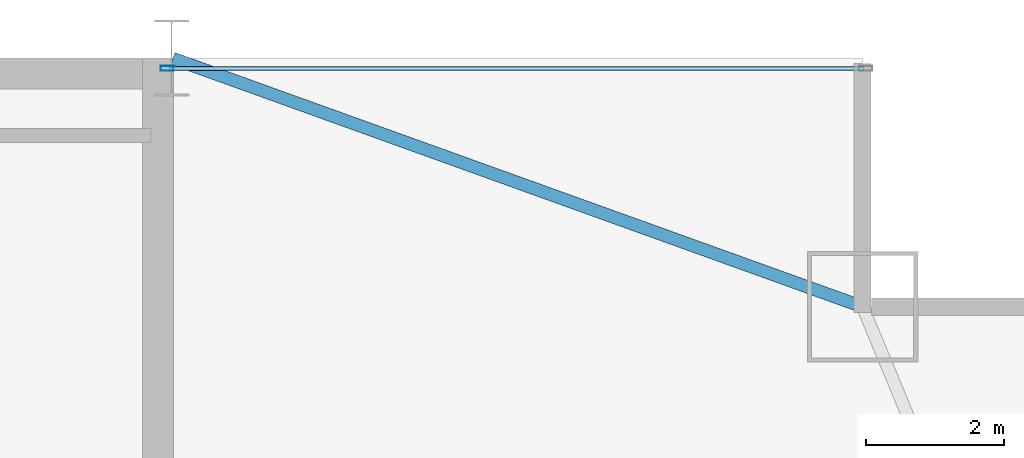
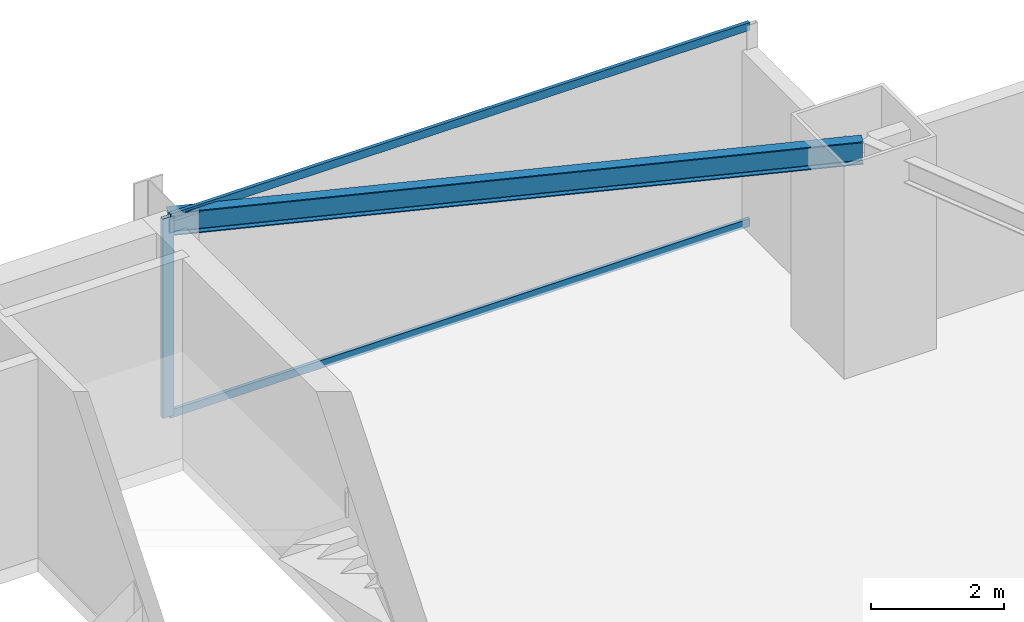
# One storey, part 22 of 29: 3 members, 1 beam, 1 element without a shape of its own.
"""IFC4 building model written with IfcOpenShell, lengths in metres."""

from ifc_helpers import new_model, si_unit, direction, frame, origin, origin_2d, place, context, subcontext, project, spatial, hollow_rectangle, i_section, extrude, source, transform, mapped, material, layer, layer_set, material_profile, profile_set, type_object, type_shapes, element, aggregate, save


model = new_model("IFC4")

# Units and contexts
model_context = context("Model", 3, precision=1e-05, world=origin(), true_north=direction((0.0, 1.0)))
body_context = subcontext(model_context, "Body", "Model", "MODEL_VIEW")
ifc_project = project(units=[si_unit("LENGTHUNIT", "METRE"), si_unit("AREAUNIT", "SQUARE_METRE"), si_unit("VOLUMEUNIT", "CUBIC_METRE"), si_unit("PLANEANGLEUNIT", "RADIAN"), si_unit("MASSUNIT", "GRAM", prefix="KILO")], contexts=[model_context])

# Site, building, storey
site_placement = place(None, origin())
site = spatial("IfcSite", under=ifc_project, at=site_placement, CompositionType="ELEMENT")
building_placement = place(site_placement, origin())
building = spatial("IfcBuilding", under=site, at=building_placement, Name="Varnel Quay Broadcast Tower", CompositionType="ELEMENT")
storey_placement = place(building_placement, frame((0.0, 0.0, 74.39990234375)))
storey = spatial("IfcBuildingStorey", under=building, at=storey_placement, Name="L17", CompositionType="ELEMENT", Elevation=74.39990234375)

# Beam
ifc_material_1 = material(Name="Structural Steel CSA G40.21 350W", Category="steel")
ifc_material_profile_1 = material_profile(ifc_material_1, i_section(OverallWidth=0.180908203125, OverallDepth=0.4169921875, WebThickness=0.010986328125, FlangeThickness=0.018310546875, FilletRadius=0.011962890625, at=origin_2d()), Name="W410X85")
ifc_profile_set_1 = profile_set([ifc_material_profile_1], Name="Structural Steel CSA G40.21 350W")
beam_type = type_object("IfcBeamType", Name="Beam_W410X85", PredefinedType="SPANDREL", material=ifc_profile_set_1)
shared_shape_1 = source(origin(), body_context, "Body", "SweptSolid", [
    extrude(i_section(OverallWidth=0.180908203125, OverallDepth=0.4169921875, WebThickness=0.010986328125, FlangeThickness=0.018310546875, FilletRadius=0.011962890625, at=origin_2d()), origin(), (0.0, 0.0, 1.0), 10.58837890625),
])
type_shapes(beam_type, [shared_shape_1])
beam_placement = place(storey_placement, frame((52.418701171875, 46.793212890625, 3.441650390625), z_axis=(0.940888587605, -0.338716202321, 0.0), x_axis=(0.338716202321, 0.940888587605, 0.0)))
element("IfcBeam", 1, at=beam_placement, inside=storey, type_object=beam_type, Name="L17 NE Tie Spandrel", PredefinedType="SPANDREL", context=body_context, shape_type="MappedRepresentation", body=[
    mapped(shared_shape_1, transform((0.0, 0.0, 0.0), x_axis=(1.0, 0.0, 0.0), y_axis=(0.0, 1.0, 0.0), z_axis=(0.0, 0.0, 1.0), scale=1.0)),
])

# Curtain wall, members
ifc_material_2 = material(Name="Anodised Bronze Aluminium 6063-T6", Category="aluminium")
ifc_layer = layer(ifc_material_2, 0.18994140625, Name="Anodised Bronze Aluminium 6063-T6")
ifc_layer_set = layer_set([ifc_layer], Name="Anodised Bronze Aluminium 6063-T6")
curtain_wall_type = type_object("IfcCurtainWallType", Name="CW_LowerTower", PredefinedType="NOTDEFINED", material=ifc_layer_set)
curtain_wall_placement = place(storey_placement, origin())
curtain_wall = element("IfcCurtainWall", 2, at=curtain_wall_placement, inside=storey, type_object=curtain_wall_type, Name="L17 NE Wing Curtain Wall", PredefinedType="NOTDEFINED")
ifc_material_profile_2 = material_profile(ifc_material_2, hollow_rectangle(XDim=0.06005859375, YDim=0.14501953125, WallThickness=0.00341796875, at=origin_2d()), Name="ALU60X145X3.5")
ifc_profile_set_2 = profile_set([ifc_material_profile_2], Name="Anodised Bronze Aluminium 6063-T6")
member_type_1 = type_object("IfcMemberType", Name="Tran_CWS-02", PredefinedType="USERDEFINED", material=ifc_profile_set_2)
shared_shape_2 = source(origin(), body_context, "Body", "SweptSolid", [
    extrude(hollow_rectangle(XDim=0.06005859375, YDim=0.14501953125, WallThickness=0.00341796875, at=origin_2d()), origin(), (0.0, 0.0, 1.0), 10.039794921875),
])
type_shapes(member_type_1, [shared_shape_2])
member_1_placement = place(storey_placement, frame((52.3701171875, 46.64990234375, 0.030029296875), z_axis=(1.0, 0.0, 0.0), x_axis=(0.0, 1.0, 0.0)))
member_1 = element("IfcMember", 3, at=member_1_placement, type_object=member_type_1, Name="CWS-02 transom 1.1", ObjectType="TRANSOM", PredefinedType="USERDEFINED", context=body_context, shape_type="MappedRepresentation", body=[
    mapped(shared_shape_2, transform((0.0, 0.0, 0.0), x_axis=(1.0, 0.0, 0.0), y_axis=(0.0, 1.0, 0.0), z_axis=(0.0, 0.0, 1.0), scale=1.0)),
])
member_2_placement = place(storey_placement, frame((52.3701171875, 46.64990234375, 3.6201171875), z_axis=(1.0, 0.0, 0.0), x_axis=(0.0, 1.0, 0.0)))
member_2 = element("IfcMember", 4, at=member_2_placement, type_object=member_type_1, Name="CWS-02 transom 1.2", ObjectType="TRANSOM", PredefinedType="USERDEFINED", context=body_context, shape_type="MappedRepresentation", body=[
    mapped(shared_shape_2, transform((0.0, 0.0, 0.0), x_axis=(1.0, 0.0, 0.0), y_axis=(0.0, 1.0, 0.0), z_axis=(0.0, 0.0, 1.0), scale=1.0)),
])
ifc_material_profile_3 = material_profile(ifc_material_2, hollow_rectangle(XDim=0.070068359375, YDim=0.18994140625, WallThickness=0.00390625, at=origin_2d()), Name="ALU70X190X4")
ifc_profile_set_3 = profile_set([ifc_material_profile_3], Name="Anodised Bronze Aluminium 6063-T6")
member_type_2 = type_object("IfcMemberType", Name="Mull_CWS-02", PredefinedType="MULLION", material=ifc_profile_set_3)
shared_shape_3 = source(origin(), body_context, "Body", "SweptSolid", [
    extrude(hollow_rectangle(XDim=0.070068359375, YDim=0.18994140625, WallThickness=0.00390625, at=origin_2d()), origin(), (0.0, 0.0, 1.0), 3.650146484375),
])
type_shapes(member_type_2, [shared_shape_3])
member_3_placement = place(storey_placement, frame((52.3349609375, 46.64990234375, 0.0), z_axis=(0.0, 0.0, 1.0), x_axis=(0.0, 1.0, 0.0)))
member_3 = element("IfcMember", 5, at=member_3_placement, type_object=member_type_2, Name="CWS-02 mullion 1", PredefinedType="MULLION", context=body_context, shape_type="MappedRepresentation", body=[
    mapped(shared_shape_3, transform((0.0, 0.0, 0.0), x_axis=(1.0, 0.0, 0.0), y_axis=(0.0, 1.0, 0.0), z_axis=(0.0, 0.0, 1.0), scale=1.0)),
])
aggregate(curtain_wall, [member_3, member_1, member_2])

save(model, "model.ifc")
